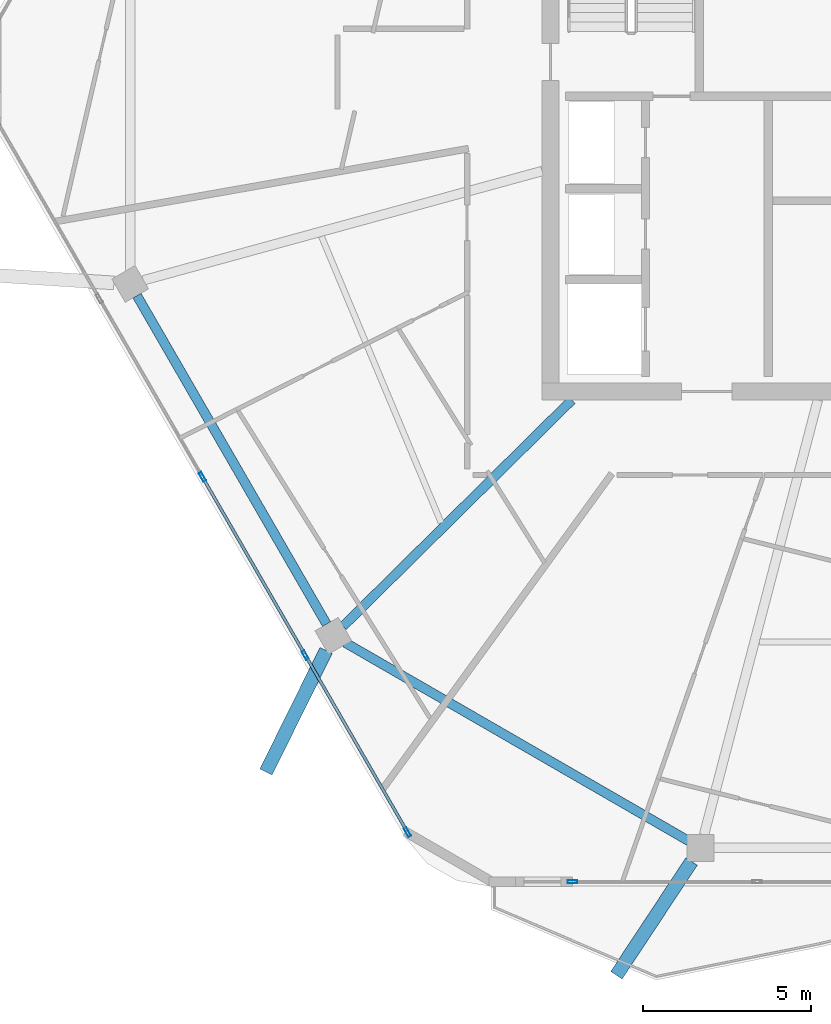
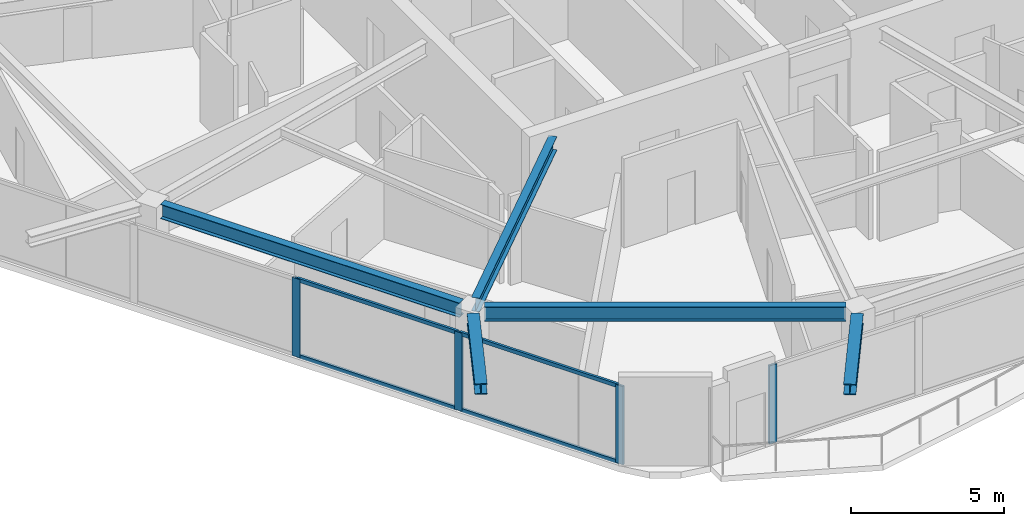
# One storey, part 2 of 20: 8 members, 5 beams, 2 elements without a shape of their own.
"""IFC4 building model written with IfcOpenShell, lengths in metres."""

from ifc_helpers import new_model, si_unit, direction, frame, origin, origin_2d, place, context, subcontext, project, spatial, hollow_rectangle, i_section, extrude, material, material_profile, profile_set, type_object, element, aggregate, save


model = new_model("IFC4")

# Units and contexts
model_context = context("Model", 3, precision=1e-05, world=origin(), true_north=direction((0.0, 1.0)))
body_context = subcontext(model_context, "Body", "Model", "MODEL_VIEW")
ifc_project = project(units=[si_unit("LENGTHUNIT", "METRE"), si_unit("AREAUNIT", "SQUARE_METRE"), si_unit("VOLUMEUNIT", "CUBIC_METRE"), si_unit("PLANEANGLEUNIT", "RADIAN"), si_unit("MASSUNIT", "GRAM", prefix="KILO")], contexts=[model_context])

# Site, building, storey
site_placement = place(None, origin())
site = spatial("IfcSite", under=ifc_project, at=site_placement, CompositionType="ELEMENT")
building_placement = place(site_placement, origin())
building = spatial("IfcBuilding", under=site, at=building_placement, Name="Zuhravey Tower", CompositionType="ELEMENT")
storey_placement = place(building_placement, frame((0.0, 0.0, 312.0)))
storey = spatial("IfcBuildingStorey", under=building, at=storey_placement, Name="L79", CompositionType="ELEMENT", Elevation=312.0)

# Curtain wall, member
ifc_material_1 = material(Name="Thermally broken anodised aluminium", Category="aluminium")
curtain_wall_type = type_object("IfcCurtainWallType", Name="Zone 3-4 High-Rise Curtain Wall CW4", PredefinedType="NOTDEFINED", material=ifc_material_1)
curtain_wall_1_placement = place(storey_placement, origin())
curtain_wall_1 = element("IfcCurtainWall", 1, at=curtain_wall_1_placement, inside=storey, type_object=curtain_wall_type, Name="L79 CW4 CW-L79-F5-1", PredefinedType="NOTDEFINED")
ifc_material_2 = material(Name="Anodised aluminium", Category="aluminium")
ifc_material_profile_1 = material_profile(ifc_material_2, hollow_rectangle(XDim=0.090087890625, YDim=0.284912109375, WallThickness=0.0048828125, at=origin_2d()), Name="ALU-RHS-90x285x5")
ifc_profile_set_1 = profile_set([ifc_material_profile_1], Name="Anodised aluminium")
member_type_1 = type_object("IfcMemberType", Name="Curtain-Wall Mullion 90x180", PredefinedType="MULLION", material=ifc_profile_set_1)
member_1_placement = place(storey_placement, frame((26.15576171875, 7.92578125, 0.0), z_axis=(0.0, 0.0, 1.0), x_axis=(0.0, -1.0, 0.0)))
member_1 = element("IfcMember", 2, at=member_1_placement, type_object=member_type_1, Name="CW4 mullion 5", PredefinedType="MULLION", context=body_context, shape_type="SweptSolid", body=[
    extrude(hollow_rectangle(XDim=0.090087890625, YDim=0.284912109375, WallThickness=0.0048828125, at=origin_2d()), origin(), (0.0, 0.0, 1.0), 3.1220703125),
])
aggregate(curtain_wall_1, [member_1])

# Curtain wall, members
curtain_wall_2_placement = place(storey_placement, origin())
curtain_wall_2 = element("IfcCurtainWall", 3, at=curtain_wall_2_placement, inside=storey, type_object=curtain_wall_type, Name="L79 CW4 CW-L79-F4-1", PredefinedType="NOTDEFINED")
member_2_placement = place(storey_placement, frame((21.248291015625, 9.40234375, 0.0), z_axis=(0.0, 0.0, 1.0), x_axis=(-0.866025511541, -0.49999981336, 0.0)))
member_2 = element("IfcMember", 4, at=member_2_placement, type_object=member_type_1, Name="CW4 mullion 1", PredefinedType="MULLION", context=body_context, shape_type="SweptSolid", body=[
    extrude(hollow_rectangle(XDim=0.090087890625, YDim=0.284912109375, WallThickness=0.0048828125, at=origin_2d()), origin(), (0.0, 0.0, 1.0), 3.1220703125),
])
member_3_placement = place(storey_placement, frame((18.211181640625, 14.6630859375, 0.0), z_axis=(0.0, 0.0, 1.0), x_axis=(-0.866025511541, -0.49999981336, 0.0)))
member_3 = element("IfcMember", 5, at=member_3_placement, type_object=member_type_1, Name="CW4 mullion 2", PredefinedType="MULLION", context=body_context, shape_type="SweptSolid", body=[
    extrude(hollow_rectangle(XDim=0.090087890625, YDim=0.284912109375, WallThickness=0.0048828125, at=origin_2d()), origin(), (0.0, 0.0, 1.0), 3.1220703125),
])
member_4_placement = place(storey_placement, frame((15.1513671875, 19.962890625, 0.0), z_axis=(0.0, 0.0, 1.0), x_axis=(-0.866025511541, -0.49999981336, 0.0)))
member_4 = element("IfcMember", 6, at=member_4_placement, type_object=member_type_1, Name="CW4 mullion 3", PredefinedType="MULLION", context=body_context, shape_type="SweptSolid", body=[
    extrude(hollow_rectangle(XDim=0.090087890625, YDim=0.284912109375, WallThickness=0.0048828125, at=origin_2d()), origin(), (0.0, 0.0, 1.0), 3.1220703125),
])
ifc_material_profile_2 = material_profile(ifc_material_2, hollow_rectangle(XDim=0.090087890625, YDim=0.14990234375, WallThickness=0.0048828125, at=origin_2d()), Name="ALU-RHS-90x150x5")
ifc_profile_set_2 = profile_set([ifc_material_profile_2], Name="Anodised aluminium")
member_type_2 = type_object("IfcMemberType", Name="Curtain-Wall Transom 90x150", PredefinedType="USERDEFINED", material=ifc_profile_set_2)
member_5_placement = place(storey_placement, frame((21.225830078125, 9.44140625, 0.044921875), z_axis=(-0.499982594807, 0.866035452444, 0.0), x_axis=(-0.866035452444, -0.499982594807, 0.0)))
member_5 = element("IfcMember", 7, at=member_5_placement, type_object=member_type_2, Name="CW4 transom 1.1", ObjectType="TRANSOM", PredefinedType="USERDEFINED", context=body_context, shape_type="SweptSolid", body=[
    extrude(hollow_rectangle(XDim=0.090087890625, YDim=0.14990234375, WallThickness=0.0048828125, at=origin_2d()), origin(), (0.0, 0.0, 1.0), 5.984619140625),
])
member_6_placement = place(storey_placement, frame((21.225830078125, 9.44140625, 3.076904296875), z_axis=(-0.499982594807, 0.866035452444, 0.0), x_axis=(-0.866035452444, -0.499982594807, 0.0)))
member_6 = element("IfcMember", 8, at=member_6_placement, type_object=member_type_2, Name="CW4 transom 1.2", ObjectType="TRANSOM", PredefinedType="USERDEFINED", context=body_context, shape_type="SweptSolid", body=[
    extrude(hollow_rectangle(XDim=0.090087890625, YDim=0.14990234375, WallThickness=0.0048828125, at=origin_2d()), origin(), (0.0, 0.0, 1.0), 5.984619140625),
])
member_7_placement = place(storey_placement, frame((18.1884765625, 14.7021484375, 0.044921875), z_axis=(-0.499971305196, 0.866041970103, 0.0), x_axis=(-0.866041970103, -0.499971305196, 0.0)))
member_7 = element("IfcMember", 9, at=member_7_placement, type_object=member_type_2, Name="CW4 transom 2.1", ObjectType="TRANSOM", PredefinedType="USERDEFINED", context=body_context, shape_type="SweptSolid", body=[
    extrude(hollow_rectangle(XDim=0.090087890625, YDim=0.14990234375, WallThickness=0.0048828125, at=origin_2d()), origin(), (0.0, 0.0, 1.0), 6.029541015625),
])
member_8_placement = place(storey_placement, frame((18.1884765625, 14.7021484375, 3.076904296875), z_axis=(-0.499971305196, 0.866041970103, 0.0), x_axis=(-0.866041970103, -0.499971305196, 0.0)))
member_8 = element("IfcMember", 10, at=member_8_placement, type_object=member_type_2, Name="CW4 transom 2.2", ObjectType="TRANSOM", PredefinedType="USERDEFINED", context=body_context, shape_type="SweptSolid", body=[
    extrude(hollow_rectangle(XDim=0.090087890625, YDim=0.14990234375, WallThickness=0.0048828125, at=origin_2d()), origin(), (0.0, 0.0, 1.0), 6.029541015625),
])
aggregate(curtain_wall_2, [member_2, member_3, member_4, member_5, member_6, member_7, member_8])

# Beams
ifc_material_3 = material(Name="Steel SM460", Category="steel")
ifc_material_profile_3 = material_profile(ifc_material_3, i_section(OverallWidth=0.406982421875, OverallDepth=0.427978515625, WebThickness=0.02001953125, FlangeThickness=0.034912109375, at=origin_2d()), Name="H-428x407x20x35")
ifc_profile_set_3 = profile_set([ifc_material_profile_3], Name="Steel SM460")
beam_type_1 = type_object("IfcBeamType", Name="Exoskeleton Node Tie Beam H428x407", PredefinedType="BEAM", material=ifc_profile_set_3)
beam_1_placement = place(storey_placement, frame((18.830322265625, 14.803955078125, 3.3359375), z_axis=(-0.443647780465, -0.896201231247, 0.0), x_axis=(0.896201231247, -0.443647780465, 0.0)))
element("IfcBeam", 11, at=beam_1_placement, inside=storey, type_object=beam_type_1, Name="L79 Exoskeleton Node Tie NT1-08", PredefinedType="BEAM", context=body_context, shape_type="SweptSolid", body=[
    extrude(i_section(OverallWidth=0.406982421875, OverallDepth=0.427978515625, WebThickness=0.02001953125, FlangeThickness=0.034912109375, at=origin_2d()), origin(), (0.0, 0.0, 1.0), 4.02978515625),
])
beam_2_placement = place(storey_placement, frame((29.69482421875, 8.532470703125, 3.3359375), z_axis=(-0.551292431116, -0.83431208513, 0.0), x_axis=(0.83431208513, -0.551292431116, 0.0)))
element("IfcBeam", 12, at=beam_2_placement, inside=storey, type_object=beam_type_1, Name="L79 Exoskeleton Node Tie NT1-09", PredefinedType="BEAM", context=body_context, shape_type="SweptSolid", body=[
    extrude(i_section(OverallWidth=0.406982421875, OverallDepth=0.427978515625, WebThickness=0.02001953125, FlangeThickness=0.034912109375, at=origin_2d()), origin(), (0.0, 0.0, 1.0), 4.05615234375),
])
ifc_material_4 = material(Name="Steel SM355", Category="steel")
ifc_material_profile_4 = material_profile(ifc_material_4, i_section(OverallWidth=0.280029296875, OverallDepth=0.580078125, WebThickness=0.011962890625, FlangeThickness=0.01904296875, at=origin_2d()), Name="H-580x280x12x19")
ifc_profile_set_4 = profile_set([ifc_material_profile_4], Name="Steel SM355")
beam_type_2 = type_object("IfcBeamType", Name="Perimeter Ring Beam H580x280", PredefinedType="BEAM", material=ifc_profile_set_4)
beam_3_placement = place(storey_placement, frame((13.2080078125, 25.3486328125, 3.260009765625), z_axis=(0.500006198144, -0.866021825255, 0.0), x_axis=(0.866021825255, 0.500006198144, 0.0)))
element("IfcBeam", 13, at=beam_3_placement, inside=storey, type_object=beam_type_2, Name="L79 PB4 BM-L79-PB-07", PredefinedType="BEAM", context=body_context, shape_type="SweptSolid", body=[
    extrude(i_section(OverallWidth=0.280029296875, OverallDepth=0.580078125, WebThickness=0.011962890625, FlangeThickness=0.01904296875, at=origin_2d()), origin(), (0.0, 0.0, 1.0), 11.271240234375),
])
beam_4_placement = place(storey_placement, frame((19.394287109375, 15.036865234375, 3.260009765625), z_axis=(0.866023977509, -0.500002470373, 0.0), x_axis=(0.500002470373, 0.866023977509, 0.0)))
element("IfcBeam", 14, at=beam_4_placement, inside=storey, type_object=beam_type_2, Name="L79 PB4 BM-L79-PB-08", PredefinedType="BEAM", context=body_context, shape_type="SweptSolid", body=[
    extrude(i_section(OverallWidth=0.280029296875, OverallDepth=0.580078125, WebThickness=0.011962890625, FlangeThickness=0.01904296875, at=origin_2d()), origin(), (0.0, 0.0, 1.0), 11.798828125),
])
ifc_material_profile_5 = material_profile(ifc_material_4, i_section(OverallWidth=0.280029296875, OverallDepth=0.550048828125, WebThickness=0.010986328125, FlangeThickness=0.01806640625, at=origin_2d()), Name="H-550x280x11x18")
ifc_profile_set_5 = profile_set([ifc_material_profile_5], Name="Steel SM355")
beam_type_3 = type_object("IfcBeamType", Name="Radial Primary Girder H550x280", PredefinedType="BEAM", material=ifc_profile_set_5)
beam_5_placement = place(storey_placement, frame((26.134765625, 22.2470703125, 3.27490234375), z_axis=(-0.711153035666, -0.703037239314, 0.0), x_axis=(0.703037239314, -0.711153035666, 0.0)))
element("IfcBeam", 15, at=beam_5_placement, inside=storey, type_object=beam_type_3, Name="L79 RG4 BM-L79-RAD-08", PredefinedType="BEAM", context=body_context, shape_type="SweptSolid", body=[
    extrude(i_section(OverallWidth=0.280029296875, OverallDepth=0.550048828125, WebThickness=0.010986328125, FlangeThickness=0.01806640625, at=origin_2d()), origin(), (0.0, 0.0, 1.0), 9.566162109375),
])

save(model, "model.ifc")
